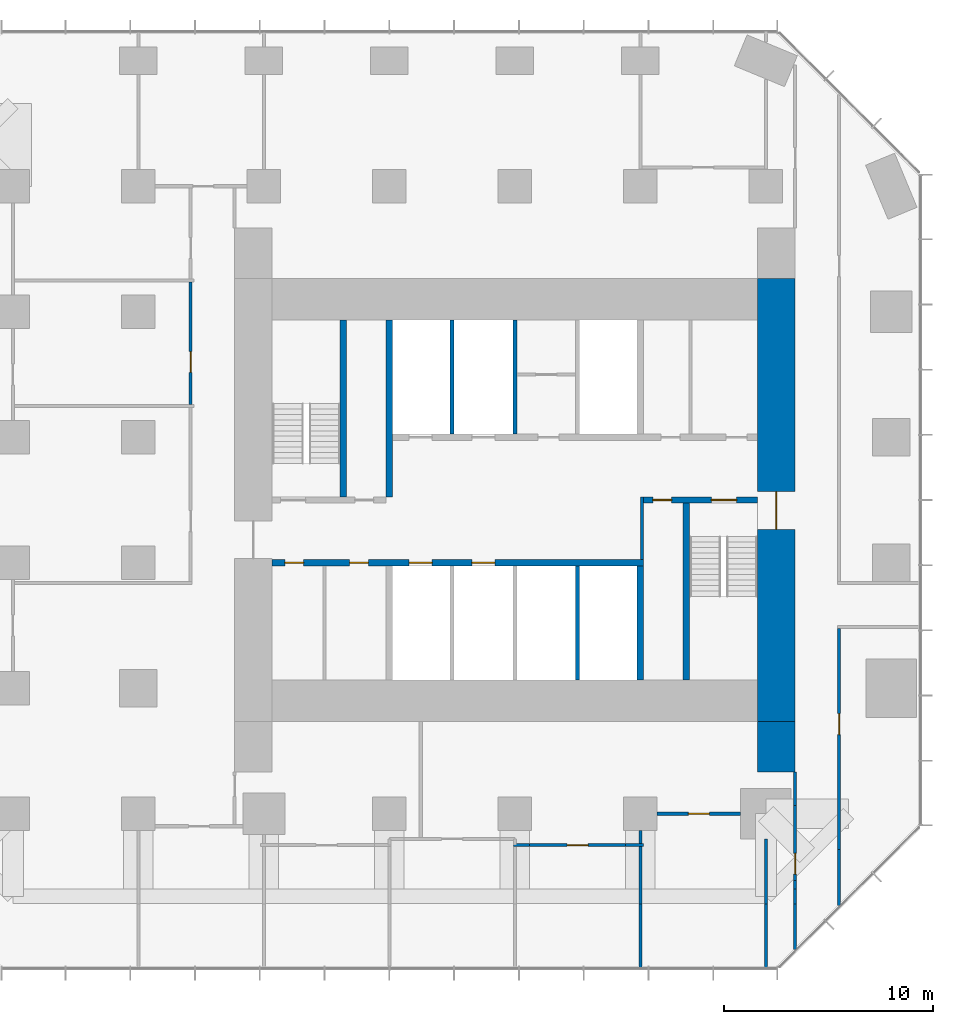
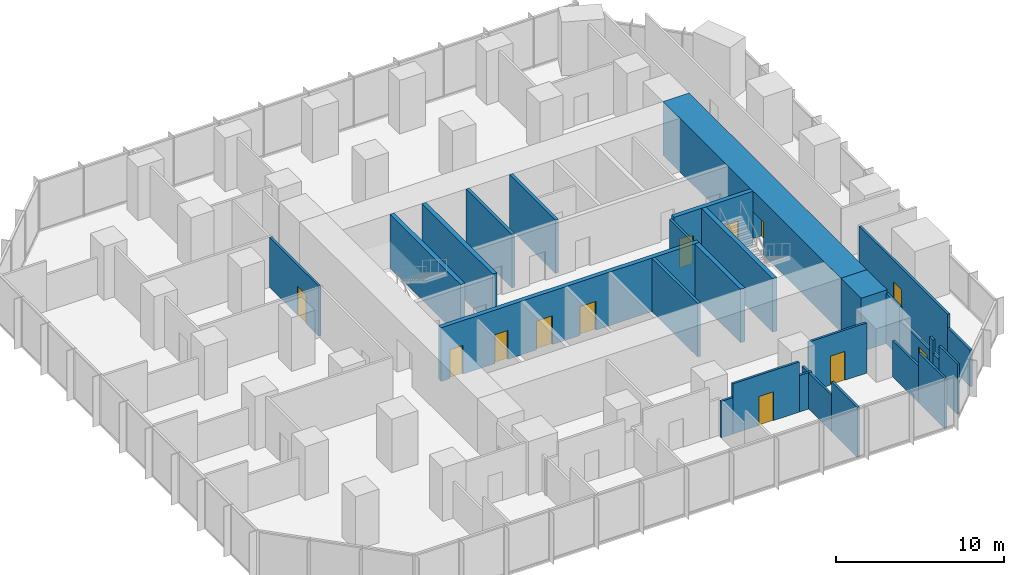
# One storey, part 10 of 13: 29 walls, 12 doors, 12 openings.
"""IFC4 building model written with IfcOpenShell, lengths in metres."""

from ifc_helpers import new_model, si_unit, direction, frame, frame_2d, origin, place, context, subcontext, project, spatial, rectangle, extrude, material, layer, layer_set, type_object, element, fill, save


model = new_model("IFC4")

# Units and contexts
model_context = context("Model", 3, precision=1e-05, world=origin(), true_north=direction((0.0, 1.0)))
body_context = subcontext(model_context, "Body", "Model", "MODEL_VIEW")
ifc_project = project(units=[si_unit("LENGTHUNIT", "METRE"), si_unit("AREAUNIT", "SQUARE_METRE"), si_unit("VOLUMEUNIT", "CUBIC_METRE"), si_unit("PLANEANGLEUNIT", "RADIAN"), si_unit("MASSUNIT", "GRAM", prefix="KILO")], contexts=[model_context])

# Site, building, storey
site_placement = place(None, origin())
site = spatial("IfcSite", under=ifc_project, at=site_placement, CompositionType="ELEMENT")
building_placement = place(site_placement, origin())
building = spatial("IfcBuilding", under=site, at=building_placement, Name="Highveld Stack Headquarters", CompositionType="ELEMENT")
storey_placement = place(building_placement, frame((0.0, 0.0, 136.699951171875)))
storey = spatial("IfcBuildingStorey", under=building, at=storey_placement, Name="L33", CompositionType="ELEMENT", Elevation=136.699951171875)

# Wall, opening, door
ifc_material_1 = material(Name="Concrete C60/75", Category="concrete")
ifc_layer_1 = layer(ifc_material_1, 1.800048828125)
ifc_layer_set_1 = layer_set([ifc_layer_1], Name="Concrete C60/75")
wall_type_1 = type_object("IfcWallType", Name="CORE WALL 1800 C60/75", PredefinedType="SHEAR", material=ifc_layer_set_1)
wall_1_placement = place(storey_placement, frame((18.5, -7.60009765625, 0.0), z_axis=(0.0, 0.0, 1.0), x_axis=(0.0, 1.0, 0.0)))
wall_1 = element("IfcWall", 1, at=wall_1_placement, inside=storey, type_object=wall_type_1, Name="Core wall E L33", PredefinedType="SHEAR", context=body_context, shape_type="SweptSolid", body=[
    extrude(rectangle(XDim=21.2001953125, YDim=1.800048828125, at=frame_2d((10.60009765625, 0.0))), origin(), (0.0, 0.0, 1.0), 3.900146484375),
])
opening_1_placement = place(wall_1_placement, frame((9.199951171875, 0.0, 0.0)))
opening_1 = element("IfcOpeningElement", 2, at=opening_1_placement, cuts=wall_1, Name="Opening L33-02", PredefinedType="OPENING", context=body_context, shape_type="SweptSolid", body=[
    extrude(rectangle(XDim=1.800048828125, YDim=2.39990234375, at=frame_2d((0.89990234375, 1.199951171875))), frame((0.0, 0.909912109375, 0.0), z_axis=(0.0, -1.0, 0.0), x_axis=(1.0, 0.0, 0.0)), (0.0, 0.0, 1.0), 1.820068359375),
])
ifc_material_2 = material(Name="Steel fire door", Category="steel")
door_type_1 = type_object("IfcDoorType", Name="LOBBY FIRE DOOR D4 1800x2400", OperationType="DOUBLE_DOOR_SINGLE_SWING", PredefinedType="DOOR", material=ifc_material_2)
door_1_placement = place(opening_1_placement, origin())
door_1 = element("IfcDoor", 3, at=door_1_placement, inside=storey, type_object=door_type_1, Name="Core east door L33", OperationType="DOUBLE_DOOR_SINGLE_SWING", OverallHeight=2.39990234375, OverallWidth=1.800048828125, PredefinedType="DOOR", context=body_context, shape_type="SweptSolid", body=[
    extrude(rectangle(XDim=1.800048828125, YDim=2.39990234375, at=frame_2d((0.89990234375, 1.199951171875))), frame((0.0, 0.02490234375, 0.0), z_axis=(0.0, -1.0, 0.0), x_axis=(1.0, 0.0, 0.0)), (0.0, 0.0, 1.0), 0.050048828125),
])
fill(opening_1, door_1)

# Wall, openings, doors
ifc_material_3 = material(Name="Concrete C60/75", Category="concrete")
ifc_layer_2 = layer(ifc_material_3, 0.300048828125)
ifc_layer_set_2 = layer_set([ifc_layer_2], Name="Concrete C60/75")
wall_type_2 = type_object("IfcWallType", Name="CORE WALL 300 C60/75", PredefinedType="SHEAR", material=ifc_layer_set_2)
wall_2_placement = place(storey_placement, frame((-5.60009765625, 0.0, 0.0), z_axis=(0.0, 0.0, 1.0), x_axis=(1.0, 0.0, 0.0)))
wall_2 = element("IfcWall", 4, at=wall_2_placement, inside=storey, type_object=wall_type_2, Name="Core wall I-Y0 L33", PredefinedType="SHEAR", context=body_context, shape_type="SweptSolid", body=[
    extrude(rectangle(XDim=17.75, YDim=0.300048828125, at=frame_2d((8.875, 0.0))), origin(), (0.0, 0.0, 1.0), 3.900146484375),
])
opening_2_placement = place(wall_2_placement, frame((0.60009765625, 0.0, 0.0)))
opening_2 = element("IfcOpeningElement", 5, at=opening_2_placement, cuts=wall_2, Name="Opening L33-07", PredefinedType="OPENING", context=body_context, shape_type="SweptSolid", body=[
    extrude(rectangle(XDim=0.89990234375, YDim=2.10009765625, at=frame_2d((0.449951171875, 1.050048828125))), frame((0.0, 0.159912109375, 0.0), z_axis=(0.0, -1.0, 0.0), x_axis=(1.0, 0.0, 0.0)), (0.0, 0.0, 1.0), 0.320068359375),
])
opening_3_placement = place(wall_2_placement, frame((3.699951171875, 0.0, 0.0)))
opening_3 = element("IfcOpeningElement", 6, at=opening_3_placement, cuts=wall_2, Name="Opening L33-08", PredefinedType="OPENING", context=body_context, shape_type="SweptSolid", body=[
    extrude(rectangle(XDim=0.89990234375, YDim=2.10009765625, at=frame_2d((0.449951171875, 1.050048828125))), frame((0.0, 0.159912109375, 0.0), z_axis=(0.0, -1.0, 0.0), x_axis=(1.0, 0.0, 0.0)), (0.0, 0.0, 1.0), 0.320068359375),
])
opening_4_placement = place(wall_2_placement, frame((6.550048828125, 0.0, 0.0)))
opening_4 = element("IfcOpeningElement", 7, at=opening_4_placement, cuts=wall_2, Name="Opening LD", PredefinedType="OPENING", context=body_context, shape_type="SweptSolid", body=[
    extrude(rectangle(XDim=1.10009765625, YDim=2.10009765625, at=frame_2d((0.550048828125, 1.050048828125))), frame((0.0, 0.159912109375, 0.0), z_axis=(0.0, -1.0, 0.0), x_axis=(1.0, 0.0, 0.0)), (0.0, 0.0, 1.0), 0.320068359375),
])
opening_5_placement = place(wall_2_placement, frame((9.550048828125, 0.0, 0.0)))
opening_5 = element("IfcOpeningElement", 8, at=opening_5_placement, cuts=wall_2, Name="Opening LD", PredefinedType="OPENING", context=body_context, shape_type="SweptSolid", body=[
    extrude(rectangle(XDim=1.10009765625, YDim=2.10009765625, at=frame_2d((0.550048828125, 1.050048828125))), frame((0.0, 0.159912109375, 0.0), z_axis=(0.0, -1.0, 0.0), x_axis=(1.0, 0.0, 0.0)), (0.0, 0.0, 1.0), 0.320068359375),
])
ifc_material_4 = material(Name="Stainless steel lift landing door", Category="steel")
door_type_2 = type_object("IfcDoorType", Name="LIFT LANDING DOOR LD 1100x2100", OperationType="DOUBLE_DOOR_SLIDING", PredefinedType="USERDEFINED", material=ifc_material_4)
door_2_placement = place(opening_4_placement, origin())
door_2 = element("IfcDoor", 9, at=door_2_placement, inside=storey, type_object=door_type_2, Name="Lift landing door B1 L33", ObjectType="LIFT LANDING DOOR", OperationType="DOUBLE_DOOR_SLIDING", OverallHeight=2.10009765625, OverallWidth=1.10009765625, PredefinedType="USERDEFINED", context=body_context, shape_type="SweptSolid", body=[
    extrude(rectangle(XDim=1.10009765625, YDim=2.10009765625, at=frame_2d((0.550048828125, 1.050048828125))), frame((0.0, 0.02490234375, 0.0), z_axis=(0.0, -1.0, 0.0), x_axis=(1.0, 0.0, 0.0)), (0.0, 0.0, 1.0), 0.050048828125),
])
fill(opening_4, door_2)
door_3_placement = place(opening_5_placement, origin())
door_3 = element("IfcDoor", 10, at=door_3_placement, inside=storey, type_object=door_type_2, Name="Lift landing door B2 L33", ObjectType="LIFT LANDING DOOR", OperationType="DOUBLE_DOOR_SLIDING", OverallHeight=2.10009765625, OverallWidth=1.10009765625, PredefinedType="USERDEFINED", context=body_context, shape_type="SweptSolid", body=[
    extrude(rectangle(XDim=1.10009765625, YDim=2.10009765625, at=frame_2d((0.550048828125, 1.050048828125))), frame((0.0, 0.02490234375, 0.0), z_axis=(0.0, -1.0, 0.0), x_axis=(1.0, 0.0, 0.0)), (0.0, 0.0, 1.0), 0.050048828125),
])
fill(opening_5, door_3)
ifc_material_5 = material(Name="Timber door, painted", Category="wood")
door_type_3 = type_object("IfcDoorType", Name="WC DOOR D1 900x2100", OperationType="SINGLE_SWING_LEFT", PredefinedType="DOOR", material=ifc_material_5)
door_4_placement = place(opening_2_placement, origin())
door_4 = element("IfcDoor", 11, at=door_4_placement, inside=storey, type_object=door_type_3, Name="Female WC door L33", OperationType="SINGLE_SWING_LEFT", OverallHeight=2.10009765625, OverallWidth=0.89990234375, PredefinedType="DOOR", context=body_context, shape_type="SweptSolid", body=[
    extrude(rectangle(XDim=0.89990234375, YDim=2.10009765625, at=frame_2d((0.449951171875, 1.050048828125))), frame((0.0, 0.02490234375, 0.0), z_axis=(0.0, -1.0, 0.0), x_axis=(1.0, 0.0, 0.0)), (0.0, 0.0, 1.0), 0.050048828125),
])
fill(opening_2, door_4)
door_5_placement = place(opening_3_placement, origin())
door_5 = element("IfcDoor", 12, at=door_5_placement, inside=storey, type_object=door_type_3, Name="Shower and changing room door L33", OperationType="SINGLE_SWING_LEFT", OverallHeight=2.10009765625, OverallWidth=0.89990234375, PredefinedType="DOOR", context=body_context, shape_type="SweptSolid", body=[
    extrude(rectangle(XDim=0.89990234375, YDim=2.10009765625, at=frame_2d((0.449951171875, 1.050048828125))), frame((0.0, 0.02490234375, 0.0), z_axis=(0.0, -1.0, 0.0), x_axis=(1.0, 0.0, 0.0)), (0.0, 0.0, 1.0), 0.050048828125),
])
fill(opening_3, door_5)

wall_3_placement = place(storey_placement, frame((12.14990234375, 3.0, 0.0), z_axis=(0.0, 0.0, 1.0), x_axis=(1.0, 0.0, 0.0)))
wall_3 = element("IfcWall", 13, at=wall_3_placement, inside=storey, type_object=wall_type_2, Name="Core wall I-Y3E L33", PredefinedType="SHEAR", context=body_context, shape_type="SweptSolid", body=[
    extrude(rectangle(XDim=5.4501953125, YDim=0.300048828125, at=frame_2d((2.72509765625, 0.0))), origin(), (0.0, 0.0, 1.0), 3.900146484375),
])
opening_6_placement = place(wall_3_placement, frame((3.25, 0.0, 0.0)))
opening_6 = element("IfcOpeningElement", 14, at=opening_6_placement, cuts=wall_3, Name="Opening L33-05", PredefinedType="OPENING", context=body_context, shape_type="SweptSolid", body=[
    extrude(rectangle(XDim=1.199951171875, YDim=2.10009765625, at=frame_2d((0.60009765625, 1.050048828125))), frame((0.0, 0.159912109375, 0.0), z_axis=(0.0, -1.0, 0.0), x_axis=(1.0, 0.0, 0.0)), (0.0, 0.0, 1.0), 0.320068359375),
])
opening_7_placement = place(wall_3_placement, frame((0.449951171875, 0.0, 0.0)))
opening_7 = element("IfcOpeningElement", 15, at=opening_7_placement, cuts=wall_3, Name="Opening L33-06", PredefinedType="OPENING", context=body_context, shape_type="SweptSolid", body=[
    extrude(rectangle(XDim=0.89990234375, YDim=2.10009765625, at=frame_2d((0.449951171875, 1.050048828125))), frame((0.0, 0.159912109375, 0.0), z_axis=(0.0, -1.0, 0.0), x_axis=(1.0, 0.0, 0.0)), (0.0, 0.0, 1.0), 0.320068359375),
])
ifc_material_6 = material(Name="Steel fire door", Category="steel")
door_type_4 = type_object("IfcDoorType", Name="RISER ACCESS DOOR D5 900x2100", OperationType="SINGLE_SWING_LEFT", PredefinedType="DOOR", material=ifc_material_6)
door_6_placement = place(opening_7_placement, origin())
door_6 = element("IfcDoor", 16, at=door_6_placement, inside=storey, type_object=door_type_4, Name="Riser R2 door L33", OperationType="SINGLE_SWING_LEFT", OverallHeight=2.10009765625, OverallWidth=0.89990234375, PredefinedType="DOOR", context=body_context, shape_type="SweptSolid", body=[
    extrude(rectangle(XDim=0.89990234375, YDim=2.10009765625, at=frame_2d((0.449951171875, 1.050048828125))), frame((0.0, 0.02490234375, 0.0), z_axis=(0.0, -1.0, 0.0), x_axis=(1.0, 0.0, 0.0)), (0.0, 0.0, 1.0), 0.050048828125),
])
fill(opening_7, door_6)
ifc_material_7 = material(Name="Steel fire door", Category="steel")
door_type_5 = type_object("IfcDoorType", Name="STAIR FIRE DOOR D3 1200x2100", OperationType="SINGLE_SWING_LEFT", PredefinedType="DOOR", material=ifc_material_7)
door_7_placement = place(opening_6_placement, origin())
door_7 = element("IfcDoor", 17, at=door_7_placement, inside=storey, type_object=door_type_5, Name="Stair S2 door L33", OperationType="SINGLE_SWING_RIGHT", OverallHeight=2.10009765625, OverallWidth=1.199951171875, PredefinedType="DOOR", context=body_context, shape_type="SweptSolid", body=[
    extrude(rectangle(XDim=1.199951171875, YDim=2.10009765625, at=frame_2d((0.60009765625, 1.050048828125))), frame((0.0, 0.02490234375, 0.0), z_axis=(0.0, -1.0, 0.0), x_axis=(1.0, 0.0, 0.0)), (0.0, 0.0, 1.0), 0.050048828125),
])
fill(opening_6, door_7)

# Walls
wall_4_placement = place(storey_placement, frame((0.0, 3.14990234375, 0.0), z_axis=(0.0, 0.0, 1.0), x_axis=(0.0, 1.0, 0.0)))
element("IfcWall", 18, at=wall_4_placement, inside=storey, type_object=wall_type_2, Name="Core wall I-X0N L33", PredefinedType="SHEAR", context=body_context, shape_type="SweptSolid", body=[
    extrude(rectangle(XDim=8.4501953125, YDim=0.300048828125, at=frame_2d((4.22509765625, 0.0))), origin(), (0.0, 0.0, 1.0), 3.900146484375),
])
wall_5_placement = place(storey_placement, frame((12.0, -5.60009765625, 0.0), z_axis=(0.0, 0.0, 1.0), x_axis=(0.0, 1.0, 0.0)))
element("IfcWall", 19, at=wall_5_placement, inside=storey, type_object=wall_type_2, Name="Core wall I-X12S L33", PredefinedType="SHEAR", context=body_context, shape_type="SweptSolid", body=[
    extrude(rectangle(XDim=5.4501953125, YDim=0.300048828125, at=frame_2d((2.72509765625, 0.0))), origin(), (0.0, 0.0, 1.0), 3.900146484375),
])
for number, where, z_axis, x_axis, name in (
    (20, (-2.199951171875, 3.14990234375, 0.0), (0.0, 0.0, 1.0), (0.0, 1.0, 0.0), "Core wall I-RW L33"),
    (21, (14.199951171875, -5.60009765625, 0.0), (0.0, 0.0, 1.0), (0.0, 1.0, 0.0), "Core wall I-RE L33"),
):
    element("IfcWall", number, at=place(storey_placement, frame(where, z_axis=z_axis, x_axis=x_axis)), inside=storey, type_object=wall_type_2, Name=name, PredefinedType="SHEAR", context=body_context, shape_type="SweptSolid", body=[
        extrude(rectangle(XDim=8.4501953125, YDim=0.300048828125, at=frame_2d((4.22509765625, 0.0))), origin(), (0.0, 0.0, 1.0), 3.900146484375),
    ])
ifc_material_8 = material(Name="Concrete C60/75", Category="concrete")
ifc_layer_3 = layer(ifc_material_8, 1.800048828125)
ifc_layer_set_3 = layer_set([ifc_layer_3], Name="Concrete C60/75")
wall_type_3 = type_object("IfcWallType", Name="CORE WING WALL 1800 C60/75", PredefinedType="SHEAR", material=ifc_layer_set_3)
wall_6_placement = place(storey_placement, frame((18.5, -10.0, 0.0), z_axis=(0.0, 0.0, 1.0), x_axis=(0.0, 1.0, 0.0)))
element("IfcWall", 22, at=wall_6_placement, inside=storey, type_object=wall_type_3, Name="Core wing wall ES L33", PredefinedType="SHEAR", context=body_context, shape_type="SweptSolid", body=[
    extrude(rectangle(XDim=2.39990234375, YDim=1.800048828125, at=frame_2d((1.199951171875, 0.0))), origin(), (0.0, 0.0, 1.0), 3.900146484375),
])
ifc_material_9 = material(Name="Concrete blockwork, plastered", Category="masonry")
ifc_layer_4 = layer(ifc_material_9, 0.14990234375)
ifc_layer_set_4 = layer_set([ifc_layer_4], Name="Concrete blockwork, plastered")
wall_type_4 = type_object("IfcWallType", Name="FIRE PARTITION 150 BLOCKWORK", PredefinedType="PARTITIONING", material=ifc_layer_set_4)
wall_7_placement = place(storey_placement, frame((12.074951171875, 0.14990234375, 0.0), z_axis=(0.0, 0.0, 1.0), x_axis=(0.0, 1.0, 0.0)))
element("IfcWall", 23, at=wall_7_placement, inside=storey, type_object=wall_type_4, Name="Riser R2 enclosure L33", PredefinedType="PARTITIONING", context=body_context, shape_type="SweptSolid", body=[
    extrude(rectangle(XDim=3.0, YDim=0.14990234375, at=frame_2d((1.5, 0.0))), origin(), (0.0, 0.0, 1.0), 3.650146484375),
])

# Wall, opening, door
ifc_material_10 = material(Name="Laminated glass in aluminium frame", Category="aluminium")
ifc_layer_5 = layer(ifc_material_10, 0.14990234375)
ifc_layer_set_5 = layer_set([ifc_layer_5], Name="Laminated glass in aluminium frame")
wall_type_5 = type_object("IfcWallType", Name="GLAZED PARTITION 150", PredefinedType="PARTITIONING", material=ifc_layer_set_5)
wall_8_placement = place(storey_placement, frame((12.800048828125, -12.0, 0.0), z_axis=(0.0, 0.0, 1.0), x_axis=(1.0, 0.0, 0.0)))
wall_8 = element("IfcWall", 24, at=wall_8_placement, inside=storey, type_object=wall_type_5, Name="Glazed partition Meeting room L33", PredefinedType="PARTITIONING", context=body_context, shape_type="SweptSolid", body=[
    extrude(rectangle(XDim=4.0, YDim=0.14990234375, at=frame_2d((2.0, 0.0))), origin(), (0.0, 0.0, 1.0), 3.650146484375),
])
opening_8_placement = place(wall_8_placement, frame((1.5, 0.0, 0.0)))
opening_8 = element("IfcOpeningElement", 25, at=opening_8_placement, cuts=wall_8, Name="Opening L33-17", PredefinedType="OPENING", context=body_context, shape_type="SweptSolid", body=[
    extrude(rectangle(XDim=1.0, YDim=2.10009765625, at=frame_2d((0.5, 1.050048828125))), frame((0.0, 0.0849609375, 0.0), z_axis=(0.0, -1.0, 0.0), x_axis=(1.0, 0.0, 0.0)), (0.0, 0.0, 1.0), 0.169921875),
])
ifc_material_11 = material(Name="Timber door, oiled ash", Category="wood")
door_type_6 = type_object("IfcDoorType", Name="ROOM DOOR D6 1000x2100", OperationType="SINGLE_SWING_LEFT", PredefinedType="DOOR", material=ifc_material_11)
door_8_placement = place(opening_8_placement, origin())
door_8 = element("IfcDoor", 26, at=door_8_placement, inside=storey, type_object=door_type_6, Name="Meeting room door 1 L33", OperationType="SINGLE_SWING_LEFT", OverallHeight=2.10009765625, OverallWidth=1.0, PredefinedType="DOOR", context=body_context, shape_type="SweptSolid", body=[
    extrude(rectangle(XDim=1.0, YDim=2.10009765625, at=frame_2d((0.5, 1.050048828125))), frame((0.0, 0.02490234375, 0.0), z_axis=(0.0, -1.0, 0.0), x_axis=(1.0, 0.0, 0.0)), (0.0, 0.0, 1.0), 0.050048828125),
])
fill(opening_8, door_8)

# Walls
ifc_material_12 = material(Name="Concrete blockwork, fair-faced", Category="masonry")
ifc_layer_6 = layer(ifc_material_12, 0.199951171875)
ifc_layer_set_6 = layer_set([ifc_layer_6], Name="Concrete blockwork, fair-faced")
wall_type_6 = type_object("IfcWallType", Name="LIFT SHAFT ENCLOSURE WALL 200 BLOCKWORK", PredefinedType="SOLIDWALL", material=ifc_layer_set_6)
for number, where, z_axis, x_axis, name in (
    (27, (3.0, 6.14990234375, 0.0), (0.0, 0.0, 1.0), (0.0, 1.0, 0.0), "Lift shaft wall L33"),
    (28, (6.0, 6.14990234375, 0.0), (0.0, 0.0, 1.0), (0.0, 1.0, 0.0), "Lift shaft wall L33"),
    (29, (9.0, -5.60009765625, 0.0), (0.0, 0.0, 1.0), (0.0, 1.0, 0.0), "Lift shaft wall L33"),
):
    element("IfcWall", number, at=place(storey_placement, frame(where, z_axis=z_axis, x_axis=x_axis)), inside=storey, type_object=wall_type_6, Name=name, PredefinedType="SOLIDWALL", context=body_context, shape_type="SweptSolid", body=[
        extrude(rectangle(XDim=5.4501953125, YDim=0.199951171875, at=frame_2d((2.72509765625, 0.0))), origin(), (0.0, 0.0, 1.0), 3.900146484375),
    ])
ifc_material_13 = material(Name="Gypsum plasterboard on steel studs", Category="steel")
ifc_layer_7 = layer(ifc_material_13, 0.14990234375)
ifc_layer_set_7 = layer_set([ifc_layer_7], Name="Gypsum plasterboard on steel studs")
wall_type_7 = type_object("IfcWallType", Name="PARTITION 150 PLASTERBOARD", PredefinedType="PARTITIONING", material=ifc_layer_set_7)
wall_9_placement = place(storey_placement, frame((5.925048828125, -13.5, 0.0), z_axis=(0.0, 0.0, 1.0), x_axis=(1.0, 0.0, 0.0)))
element("IfcWall", 30, at=wall_9_placement, inside=storey, type_object=wall_type_7, Name="Partition Quiet room L33", PredefinedType="PARTITIONING", context=body_context, shape_type="SweptSolid", body=[
    extrude(rectangle(XDim=0.784912109375, YDim=0.14990234375, at=frame_2d((0.392578125, 0.0))), origin(), (0.0, 0.0, 1.0), 2.650146484375),
])

# Wall, opening, door
wall_10_placement = place(storey_placement, frame((6.7099609375, -13.5, 0.0), z_axis=(0.0, 0.0, 1.0), x_axis=(1.0, 0.0, 0.0)))
wall_10 = element("IfcWall", 31, at=wall_10_placement, inside=storey, type_object=wall_type_7, Name="Partition Quiet room L33", PredefinedType="PARTITIONING", context=body_context, shape_type="SweptSolid", body=[
    extrude(rectangle(XDim=4.580078125, YDim=0.14990234375, at=frame_2d((2.2900390625, 0.0))), origin(), (0.0, 0.0, 1.0), 3.650146484375),
])
opening_9_placement = place(wall_10_placement, frame((1.7900390625, 0.0, 0.0)))
opening_9 = element("IfcOpeningElement", 32, at=opening_9_placement, cuts=wall_10, Name="Opening L33-16", PredefinedType="OPENING", context=body_context, shape_type="SweptSolid", body=[
    extrude(rectangle(XDim=1.0, YDim=2.10009765625, at=frame_2d((0.5, 1.050048828125))), frame((0.0, 0.0849609375, 0.0), z_axis=(0.0, -1.0, 0.0), x_axis=(1.0, 0.0, 0.0)), (0.0, 0.0, 1.0), 0.169921875),
])
door_9_placement = place(opening_9_placement, origin())
door_9 = element("IfcDoor", 33, at=door_9_placement, inside=storey, type_object=door_type_6, Name="Quiet room door 1 L33", OperationType="SINGLE_SWING_LEFT", OverallHeight=2.10009765625, OverallWidth=1.0, PredefinedType="DOOR", context=body_context, shape_type="SweptSolid", body=[
    extrude(rectangle(XDim=1.0, YDim=2.10009765625, at=frame_2d((0.5, 1.050048828125))), frame((0.0, 0.02490234375, 0.0), z_axis=(0.0, -1.0, 0.0), x_axis=(1.0, 0.0, 0.0)), (0.0, 0.0, 1.0), 0.050048828125),
])
fill(opening_9, door_9)

# Walls
wall_11_placement = place(storey_placement, frame((11.2900390625, -13.5, 0.0), z_axis=(0.0, 0.0, 1.0), x_axis=(1.0, 0.0, 0.0)))
element("IfcWall", 34, at=wall_11_placement, inside=storey, type_object=wall_type_7, Name="Partition Quiet room L33", PredefinedType="PARTITIONING", context=body_context, shape_type="SweptSolid", body=[
    extrude(rectangle(XDim=0.85986328125, YDim=0.14990234375, at=frame_2d((0.429931640625, 0.0))), origin(), (0.0, 0.0, 1.0), 2.650146484375),
])
wall_12_placement = place(storey_placement, frame((12.0, -19.39990234375, 0.0), z_axis=(0.0, 0.0, 1.0), x_axis=(0.0, 1.0, 0.0)))
element("IfcWall", 35, at=wall_12_placement, inside=storey, type_object=wall_type_7, Name="Partition Meeting room / Quiet room L33", PredefinedType="PARTITIONING", context=body_context, shape_type="SweptSolid", body=[
    extrude(rectangle(XDim=3.08984375, YDim=0.14990234375, at=frame_2d((1.544921875, 0.0))), origin(), (0.0, 0.0, 1.0), 3.650146484375),
])
wall_13_placement = place(storey_placement, frame((12.0, -16.31005859375, 0.0), z_axis=(0.0, 0.0, 1.0), x_axis=(0.0, 1.0, 0.0)))
element("IfcWall", 36, at=wall_13_placement, inside=storey, type_object=wall_type_7, Name="Partition Meeting room / Quiet room L33", PredefinedType="PARTITIONING", context=body_context, shape_type="SweptSolid", body=[
    extrude(rectangle(XDim=2.735107421875, YDim=0.14990234375, at=frame_2d((1.36767578125, 0.0))), origin(), (0.0, 0.0, 1.0), 2.650146484375),
])
wall_14_placement = place(storey_placement, frame((12.0, -13.425048828125, 0.0), z_axis=(0.0, 0.0, 1.0), x_axis=(0.0, 1.0, 0.0)))
element("IfcWall", 37, at=wall_14_placement, inside=storey, type_object=wall_type_7, Name="Partition Meeting room L33", PredefinedType="PARTITIONING", context=body_context, shape_type="SweptSolid", body=[
    extrude(rectangle(XDim=0.625, YDim=0.14990234375, at=frame_2d((0.3125, 0.0))), origin(), (0.0, 0.0, 1.0), 2.650146484375),
])
wall_15_placement = place(storey_placement, frame((18.0, -19.39990234375, 0.0), z_axis=(0.0, 0.0, 1.0), x_axis=(0.0, 1.0, 0.0)))
element("IfcWall", 38, at=wall_15_placement, inside=storey, type_object=wall_type_7, Name="Partition Meeting room L33", PredefinedType="PARTITIONING", context=body_context, shape_type="SweptSolid", body=[
    extrude(rectangle(XDim=3.08984375, YDim=0.14990234375, at=frame_2d((1.544921875, 0.0))), origin(), (0.0, 0.0, 1.0), 3.650146484375),
])
wall_16_placement = place(storey_placement, frame((18.0, -16.31005859375, 0.0), z_axis=(0.0, 0.0, 1.0), x_axis=(0.0, 1.0, 0.0)))
element("IfcWall", 39, at=wall_16_placement, inside=storey, type_object=wall_type_7, Name="Partition Meeting room L33", PredefinedType="PARTITIONING", context=body_context, shape_type="SweptSolid", body=[
    extrude(rectangle(XDim=3.110107421875, YDim=0.14990234375, at=frame_2d((1.55517578125, 0.0))), origin(), (0.0, 0.0, 1.0), 2.650146484375),
])

# Wall, opening, door
wall_17_placement = place(storey_placement, frame((-9.5, 7.574951171875, 0.0), z_axis=(0.0, 0.0, 1.0), x_axis=(0.0, 1.0, 0.0)))
wall_17 = element("IfcWall", 40, at=wall_17_placement, inside=storey, type_object=wall_type_7, Name="Partition office neighbourhood L33", PredefinedType="PARTITIONING", context=body_context, shape_type="SweptSolid", body=[
    extrude(rectangle(XDim=5.85009765625, YDim=0.14990234375, at=frame_2d((2.925048828125, 0.0))), origin(), (0.0, 0.0, 1.0), 3.650146484375),
])
opening_10_placement = place(wall_17_placement, frame((1.52490234375, 0.0, 0.0)))
opening_10 = element("IfcOpeningElement", 41, at=opening_10_placement, cuts=wall_17, Name="Opening L33-26", PredefinedType="OPENING", context=body_context, shape_type="SweptSolid", body=[
    extrude(rectangle(XDim=1.0, YDim=2.10009765625, at=frame_2d((0.5, 1.050048828125))), frame((0.0, 0.0849609375, 0.0), z_axis=(0.0, -1.0, 0.0), x_axis=(1.0, 0.0, 0.0)), (0.0, 0.0, 1.0), 0.169921875),
])
door_10_placement = place(opening_10_placement, origin())
door_10 = element("IfcDoor", 42, at=door_10_placement, inside=storey, type_object=door_type_6, Name="Office neighbourhood door L33", OperationType="SINGLE_SWING_LEFT", OverallHeight=2.10009765625, OverallWidth=1.0, PredefinedType="DOOR", context=body_context, shape_type="SweptSolid", body=[
    extrude(rectangle(XDim=1.0, YDim=2.10009765625, at=frame_2d((0.5, 1.050048828125))), frame((0.0, 0.02490234375, 0.0), z_axis=(0.0, -1.0, 0.0), x_axis=(1.0, 0.0, 0.0)), (0.0, 0.0, 1.0), 0.050048828125),
])
fill(opening_10, door_10)

# Walls
wall_18_placement = place(storey_placement, frame((19.39990234375, -18.489013671875, 0.0), z_axis=(0.0, 0.0, 1.0), x_axis=(0.0, 1.0, 0.0)))
element("IfcWall", 43, at=wall_18_placement, inside=storey, type_object=wall_type_7, Name="Partition office neighbourhood L33", PredefinedType="PARTITIONING", context=body_context, shape_type="SweptSolid", body=[
    extrude(rectangle(XDim=2.178955078125, YDim=0.14990234375, at=frame_2d((1.08935546875, 0.0))), origin(), (0.0, 0.0, 1.0), 3.650146484375),
])
wall_19_placement = place(storey_placement, frame((19.39990234375, -16.31005859375, 0.0), z_axis=(0.0, 0.0, 1.0), x_axis=(0.0, 1.0, 0.0)))
element("IfcWall", 44, at=wall_19_placement, inside=storey, type_object=wall_type_7, Name="Partition office neighbourhood L33", PredefinedType="PARTITIONING", context=body_context, shape_type="SweptSolid", body=[
    extrude(rectangle(XDim=0.719970703125, YDim=0.14990234375, at=frame_2d((0.35986328125, 0.0))), origin(), (0.0, 0.0, 1.0), 2.650146484375),
])
wall_20_placement = place(storey_placement, frame((19.39990234375, -15.590087890625, 0.0), z_axis=(0.0, 0.0, 1.0), x_axis=(0.0, 1.0, 0.0)))
element("IfcWall", 45, at=wall_20_placement, inside=storey, type_object=wall_type_7, Name="Partition office neighbourhood L33", PredefinedType="PARTITIONING", context=body_context, shape_type="SweptSolid", body=[
    extrude(rectangle(XDim=0.39794921875, YDim=0.14990234375, at=frame_2d((0.198974609375, 0.0))), origin(), (0.0, 0.0, 1.0), 3.650146484375),
])

# Wall, opening, door
wall_21_placement = place(storey_placement, frame((19.39990234375, -15.192138671875, 0.0), z_axis=(0.0, 0.0, 1.0), x_axis=(0.0, 1.0, 0.0)))
wall_21 = element("IfcWall", 46, at=wall_21_placement, inside=storey, type_object=wall_type_7, Name="Partition office neighbourhood L33", PredefinedType="PARTITIONING", context=body_context, shape_type="SweptSolid", body=[
    extrude(rectangle(XDim=3.584228515625, YDim=0.14990234375, at=frame_2d((1.7919921875, 0.0))), origin(), (0.0, 0.0, 1.0), 2.650146484375),
])
opening_11_placement = place(wall_21_placement, frame((0.300048828125, 0.0, 0.0)))
opening_11 = element("IfcOpeningElement", 47, at=opening_11_placement, cuts=wall_21, Name="Opening L33-22", PredefinedType="OPENING", context=body_context, shape_type="SweptSolid", body=[
    extrude(rectangle(XDim=1.0, YDim=2.10009765625, at=frame_2d((0.5, 1.050048828125))), frame((0.0, 0.0849609375, 0.0), z_axis=(0.0, -1.0, 0.0), x_axis=(1.0, 0.0, 0.0)), (0.0, 0.0, 1.0), 0.169921875),
])
door_11_placement = place(opening_11_placement, origin())
door_11 = element("IfcDoor", 48, at=door_11_placement, inside=storey, type_object=door_type_6, Name="Office neighbourhood door L33", OperationType="SINGLE_SWING_LEFT", OverallHeight=2.10009765625, OverallWidth=1.0, PredefinedType="DOOR", context=body_context, shape_type="SweptSolid", body=[
    extrude(rectangle(XDim=1.0, YDim=2.10009765625, at=frame_2d((0.5, 1.050048828125))), frame((0.0, 0.02490234375, 0.0), z_axis=(0.0, -1.0, 0.0), x_axis=(1.0, 0.0, 0.0)), (0.0, 0.0, 1.0), 0.050048828125),
])
fill(opening_11, door_11)

# Walls
wall_22_placement = place(storey_placement, frame((19.39990234375, -11.60791015625, 0.0), z_axis=(0.0, 0.0, 1.0), x_axis=(0.0, 1.0, 0.0)))
element("IfcWall", 49, at=wall_22_placement, inside=storey, type_object=wall_type_7, Name="Partition office neighbourhood L33", PredefinedType="PARTITIONING", context=body_context, shape_type="SweptSolid", body=[
    extrude(rectangle(XDim=1.60791015625, YDim=0.14990234375, at=frame_2d((0.803955078125, 0.0))), origin(), (0.0, 0.0, 1.0), 3.650146484375),
])
wall_23_placement = place(storey_placement, frame((21.5, -16.387939453125, 0.0), z_axis=(0.0, 0.0, 1.0), x_axis=(0.0, 1.0, 0.0)))
element("IfcWall", 50, at=wall_23_placement, inside=storey, type_object=wall_type_7, Name="Partition office neighbourhood L33", PredefinedType="PARTITIONING", context=body_context, shape_type="SweptSolid", body=[
    extrude(rectangle(XDim=2.679931640625, YDim=0.14990234375, at=frame_2d((1.33984375, 0.0))), origin(), (0.0, 0.0, 1.0), 2.650146484375),
])

# Wall, opening, door
wall_24_placement = place(storey_placement, frame((21.5, -13.7080078125, 0.0), z_axis=(0.0, 0.0, 1.0), x_axis=(0.0, 1.0, 0.0)))
wall_24 = element("IfcWall", 51, at=wall_24_placement, inside=storey, type_object=wall_type_7, Name="Partition office neighbourhood L33", PredefinedType="PARTITIONING", context=body_context, shape_type="SweptSolid", body=[
    extrude(rectangle(XDim=10.55810546875, YDim=0.14990234375, at=frame_2d((5.279052734375, 0.0))), origin(), (0.0, 0.0, 1.0), 3.650146484375),
])
opening_12_placement = place(wall_24_placement, frame((5.491943359375, 0.0, 0.0)))
opening_12 = element("IfcOpeningElement", 52, at=opening_12_placement, cuts=wall_24, Name="Opening L33-23", PredefinedType="OPENING", context=body_context, shape_type="SweptSolid", body=[
    extrude(rectangle(XDim=1.0, YDim=2.10009765625, at=frame_2d((0.5, 1.050048828125))), frame((0.0, 0.0849609375, 0.0), z_axis=(0.0, -1.0, 0.0), x_axis=(1.0, 0.0, 0.0)), (0.0, 0.0, 1.0), 0.169921875),
])
door_12_placement = place(opening_12_placement, origin())
door_12 = element("IfcDoor", 53, at=door_12_placement, inside=storey, type_object=door_type_6, Name="Office neighbourhood door L33", OperationType="SINGLE_SWING_RIGHT", OverallHeight=2.10009765625, OverallWidth=1.0, PredefinedType="DOOR", context=body_context, shape_type="SweptSolid", body=[
    extrude(rectangle(XDim=1.0, YDim=2.10009765625, at=frame_2d((0.5, 1.050048828125))), frame((0.0, 0.02490234375, 0.0), z_axis=(0.0, -1.0, 0.0), x_axis=(1.0, 0.0, 0.0)), (0.0, 0.0, 1.0), 0.050048828125),
])
fill(opening_12, door_12)

save(model, "model.ifc")
